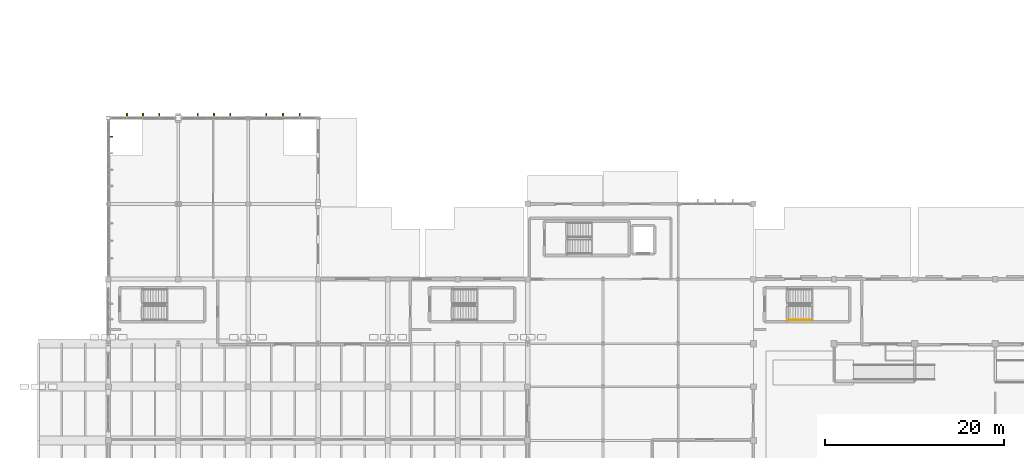
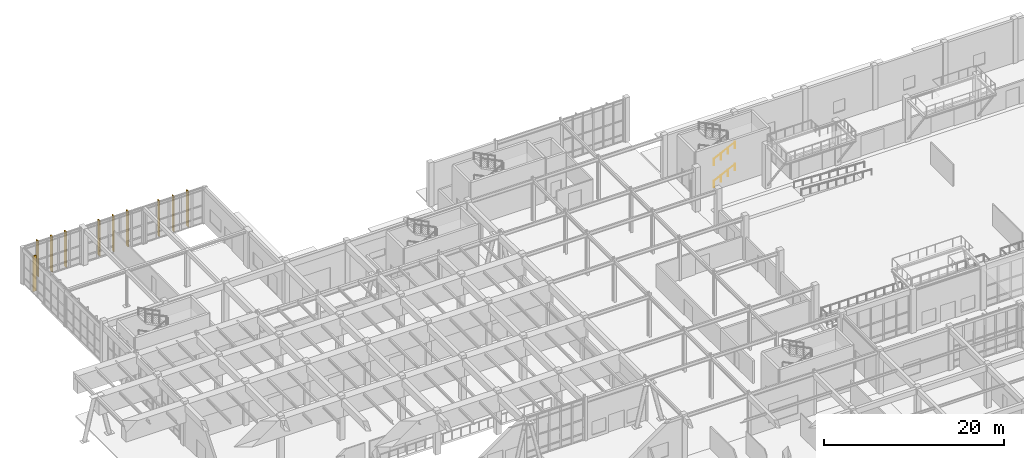
# One storey, part 103 of 110: 10 coverings, 2 railings.
"""IFC4 building model written with IfcOpenShell, lengths in metres."""

import ifcopenshell
import ifcopenshell.guid

model = None  # the IFC model being written
_history = None  # IfcOwnerHistory: only IFC2X3 demands one
_inside = {}  # id of a spatial element -> (the spatial element, [elements in it])
_under = {}  # id of a project, library or spatial element -> (it, [spatial elements below it])
_declared = {}  # id of a project -> (the project, [libraries it declares])
_typed = {}  # id of a type object -> (the type object, [elements of that type])
_made_of = {}  # id of a material, layer set ... -> (it, [elements and type objects made of it])


def new_model(schema):
    """Start an empty IFC model of exactly this schema.

    Asked for "IFC4X3", IfcOpenShell would pick the latest addendum, in which some entities
    have other attributes; the version numbers below select the first issue.
    IFC2X3 requires an IfcOwnerHistory on every rooted entity: one is made here for all.
    """
    global model, _history
    if schema == "IFC4X3":
        model = ifcopenshell.file(schema_version=(4, 3, 0, 0))
    else:
        model = ifcopenshell.file(schema=schema)
    _inside.clear()
    _under.clear()
    _declared.clear()
    _typed.clear()
    _made_of.clear()
    _history = None
    if model.schema == "IFC2X3":
        org = make("IfcOrganization", Name="unknown")
        user = make(
            "IfcPersonAndOrganization",
            ThePerson=make("IfcPerson", FamilyName="unknown"),
            TheOrganization=org,
        )
        app = make(
            "IfcApplication",
            ApplicationDeveloper=org,
            Version="unknown",
            ApplicationFullName="unknown",
            ApplicationIdentifier="unknown",
        )
        _history = make(
            "IfcOwnerHistory",
            OwningUser=user,
            OwningApplication=app,
            ChangeAction="ADDED",
            CreationDate=0,
        )
    return model


def make(cls, **values):
    """One entity of the class cls with the attributes given. An attribute that is None is left unset."""
    return model.create_entity(
        cls, **{name: value for name, value in values.items() if value is not None}
    )


def rooted(cls, **values):
    """An entity with a GlobalId (a new one), such as an element, a storey or a relation."""
    return make(cls, GlobalId=ifcopenshell.guid.new(), OwnerHistory=_history, **values)


def si_unit(unit_type, name, prefix=None):
    """IfcSIUnit, for example si_unit("LENGTHUNIT", "METRE", prefix="MILLI")."""
    return make("IfcSIUnit", UnitType=unit_type, Prefix=prefix, Name=name)


def assignment(units):
    """IfcUnitAssignment: the units of a project."""
    return None if units is None else make("IfcUnitAssignment", Units=units)


def point(xyz):
    """IfcCartesianPoint."""
    return None if xyz is None else make("IfcCartesianPoint", Coordinates=xyz)


def direction(xyz):
    """IfcDirection."""
    return None if xyz is None else make("IfcDirection", DirectionRatios=xyz)


def frame(location, z_axis=None, x_axis=None):
    """IfcAxis2Placement3D, a coordinate frame: its origin and axes. An axis left out is left unset."""
    return make(
        "IfcAxis2Placement3D",
        Location=point(location),
        Axis=direction(z_axis),
        RefDirection=direction(x_axis),
    )


def frame_2d(location, x_axis=None):
    """IfcAxis2Placement2D, a coordinate frame in the plane: its origin and x axis."""
    return make(
        "IfcAxis2Placement2D", Location=point(location), RefDirection=direction(x_axis)
    )


def origin():
    """The frame at (0, 0, 0) with its axes left unset."""
    return frame((0.0, 0.0, 0.0))


def origin_2d():
    """The frame at (0, 0) in the plane with its x axis left unset."""
    return frame_2d((0.0, 0.0))


def place(relative_to, where):
    """IfcLocalPlacement: puts the frame where relative to a parent placement (None: the world)."""
    return make(
        "IfcLocalPlacement", PlacementRelTo=relative_to, RelativePlacement=where
    )


def context(
    kind, dimensions, precision=None, world=None, true_north=None, identifier=None
):
    """IfcGeometricRepresentationContext, for example the 3D "Model" context."""
    return make(
        "IfcGeometricRepresentationContext",
        ContextIdentifier=identifier,
        ContextType=kind,
        CoordinateSpaceDimension=dimensions,
        Precision=precision,
        WorldCoordinateSystem=world,
        TrueNorth=true_north,
    )


def subcontext(parent, identifier, kind, view, scale=None):
    """IfcGeometricRepresentationSubContext, for example "Body" below "Model"."""
    return make(
        "IfcGeometricRepresentationSubContext",
        ContextIdentifier=identifier,
        ContextType=kind,
        ParentContext=parent,
        TargetScale=scale,
        TargetView=view,
    )


def project(units=None, contexts=None):
    """IfcProject with its units and contexts."""
    return rooted(
        "IfcProject",
        Name="project",
        RepresentationContexts=contexts,
        UnitsInContext=assignment(units),
    )


def spatial(cls, under=None, at=None, **own):
    """A site, building, storey or space (cls), placed at a placement, below another one or the project."""
    s = rooted(cls, ObjectPlacement=at, **own)
    if under is not None:
        _under.setdefault(under.id(), (under, []))[1].append(s)
    return s


def profile(cls, at=None, kind="AREA", **sizes):
    """A parametric profile (cls). Its sizes go by their IFC names, for example OverallWidth=200.0."""
    return make(cls, ProfileType=kind, Position=at, **sizes)


def rectangle(**sizes):
    """IfcRectangleProfileDef."""
    return profile("IfcRectangleProfileDef", **sizes)


def circle(**sizes):
    """IfcCircleProfileDef."""
    return profile("IfcCircleProfileDef", **sizes)


def extrude(swept, where, along, depth):
    """IfcExtrudedAreaSolid: the profile swept, set in the frame where, extruded along a direction by depth."""
    return make(
        "IfcExtrudedAreaSolid",
        SweptArea=swept,
        Position=where,
        ExtrudedDirection=direction(along),
        Depth=depth,
    )


def shape(context_of_items, identifier, shape_type, items):
    """IfcShapeRepresentation: the items that make up one representation, for example the "Body"."""
    return make(
        "IfcShapeRepresentation",
        ContextOfItems=context_of_items,
        RepresentationIdentifier=identifier,
        RepresentationType=shape_type,
        Items=items,
    )


def material(Name=None, Category=None):
    """IfcMaterial."""
    return make("IfcMaterial", Name=Name, Category=Category)


def layer(
    of_material, thickness, ventilated=None, Name=None, Category=None, Priority=None
):
    """IfcMaterialLayer: one layer of a wall or slab, of a material (None: an air gap)."""
    return make(
        "IfcMaterialLayer",
        Material=of_material,
        LayerThickness=thickness,
        IsVentilated=ventilated,
        Name=Name,
        Category=Category,
        Priority=Priority,
    )


def layer_set(layers, Name=None):
    """IfcMaterialLayerSet."""
    return make("IfcMaterialLayerSet", MaterialLayers=layers, LayerSetName=Name)


def made_of(thing, what):
    """Note that an element or type object is made of a material, layer set ...; save() writes the relation."""
    if what is not None:
        _made_of.setdefault(what.id(), (what, []))[1].append(thing)
    return thing


def type_object(cls, material=None, **own):
    """A type object (cls), such as IfcWallType, which elements share."""
    return made_of(rooted(cls, **own), material)


def element(
    cls,
    number,
    at=None,
    inside=None,
    cuts=None,
    type_object=None,
    material=None,
    context=None,
    identifier="Body",
    shape_type=None,
    held_by="IfcProductDefinitionShape",
    body=None,
    shapes=None,
    **own,
):
    """One element of the class cls, such as IfcWall. Its Tag is "e" and its number.

    at: its placement. inside: the storey or other place that contains it. cuts: it is an
    opening in that element (IfcRelVoidsElement). A single representation is given by context,
    identifier, shape_type and body (its items); several are given by shapes. held_by: the class
    of the entity that holds the representations. save() writes the other relations.
    """
    e = rooted(cls, Tag="e%d" % number, ObjectPlacement=at, **own)
    if body is not None:
        shapes = [shape(context, identifier, shape_type, body)]
    if shapes is not None:
        e.Representation = make(held_by, Representations=shapes)
    if inside is not None:
        _inside.setdefault(inside.id(), (inside, []))[1].append(e)
    if cuts is not None:
        rooted(
            "IfcRelVoidsElement", RelatingBuildingElement=cuts, RelatedOpeningElement=e
        )
    if type_object is not None:
        _typed.setdefault(type_object.id(), (type_object, []))[1].append(e)
    return made_of(e, material)


def aggregate(whole, parts):
    """IfcRelAggregates: a whole, such as a stair, and the parts it consists of."""
    return rooted("IfcRelAggregates", RelatingObject=whole, RelatedObjects=parts)


def save(model, path):
    """Write the relations noted so far, then the file.

    IfcRelAggregates (storeys below a building ...), IfcRelContainedInSpatialStructure (elements
    in a storey), IfcRelDefinesByType, IfcRelAssociatesMaterial and IfcRelDeclares: one each for
    every whole, place, type object, material and project.
    """
    for whole, parts in _under.values():
        aggregate(whole, parts)
    for where, things in _inside.values():
        rooted(
            "IfcRelContainedInSpatialStructure",
            RelatedElements=things,
            RelatingStructure=where,
        )
    for kind, things in _typed.values():
        rooted("IfcRelDefinesByType", RelatedObjects=things, RelatingType=kind)
    for what, things in _made_of.values():
        rooted("IfcRelAssociatesMaterial", RelatedObjects=things, RelatingMaterial=what)
    for by, libraries in _declared.values():
        rooted("IfcRelDeclares", RelatingContext=by, RelatedDefinitions=libraries)
    model.write(path)


model = new_model("IFC4")

# Units and contexts
model_context = context("Model", 3, precision=1e-05, world=origin(), true_north=direction((0.0, 1.0)))
body_context = subcontext(model_context, "Body", "Model", "MODEL_VIEW")
ifc_project = project(units=[si_unit("LENGTHUNIT", "METRE"), si_unit("AREAUNIT", "SQUARE_METRE"), si_unit("VOLUMEUNIT", "CUBIC_METRE"), si_unit("PLANEANGLEUNIT", "RADIAN"), si_unit("MASSUNIT", "GRAM", prefix="KILO")], contexts=[model_context])

# Site, building, storey
site_placement = place(None, origin())
site = spatial("IfcSite", under=ifc_project, at=site_placement, CompositionType="ELEMENT")
building_placement = place(site_placement, origin())
building = spatial("IfcBuilding", under=site, at=building_placement, Name="Tizgana Railside Sports Hall", CompositionType="ELEMENT")
storey_placement = place(building_placement, origin())
storey = spatial("IfcBuildingStorey", under=building, at=storey_placement, Name="L00", CompositionType="ELEMENT", Elevation=0.0)

# Coverings
ifc_material_1 = material(Name="Glulam GL28h", Category="wood")
ifc_layer = layer(ifc_material_1, 0.139892578125, Name="Glulam GL28h")
ifc_layer_set = layer_set([ifc_layer], Name="Glulam GL28h")
covering_type = type_object("IfcCoveringType", Name="Mass-Timber Brise-Soleil & Pergola Fin", PredefinedType="CLADDING", material=ifc_layer_set)
for number, where, z_axis, x_axis, name in (
    (1, (9.87109375, 98.679931640625, 0.0849609375), (0.0, 0.0, 1.0), (1.0, 0.0, 0.0), "L00 Timber Brise-Soleil Fin"),
    (2, (11.66259765625, 98.679931640625, 0.0849609375), (0.0, 0.0, 1.0), (1.0, 0.0, 0.0), "L00 Timber Brise-Soleil Fin"),
    (3, (13.45361328125, 98.679931640625, 0.0849609375), (0.0, 0.0, 1.0), (1.0, 0.0, 0.0), "L00 Timber Brise-Soleil Fin"),
    (4, (17.7724609375, 98.679931640625, 0.0849609375), (0.0, 0.0, 1.0), (1.0, 0.0, 0.0), "L00 Timber Brise-Soleil Fin"),
    (5, (19.590087890625, 98.679931640625, 0.0849609375), (0.0, 0.0, 1.0), (1.0, 0.0, 0.0), "L00 Timber Brise-Soleil Fin"),
    (6, (21.407470703125, 98.679931640625, 0.0849609375), (0.0, 0.0, 1.0), (1.0, 0.0, 0.0), "L00 Timber Brise-Soleil Fin"),
    (7, (25.433349609375, 98.679931640625, 0.0849609375), (0.0, 0.0, 1.0), (1.0, 0.0, 0.0), "L00 Timber Brise-Soleil Fin"),
    (8, (27.291748046875, 98.679931640625, 0.0849609375), (0.0, 0.0, 1.0), (1.0, 0.0, 0.0), "L00 Timber Brise-Soleil Fin"),
    (9, (29.150146484375, 98.679931640625, 0.0849609375), (0.0, 0.0, 1.0), (1.0, 0.0, 0.0), "L00 Timber Brise-Soleil Fin"),
    (10, (8.080078125, 96.291015625, 0.0849609375), (0.0, 0.0, 1.0), (0.0, -1.0, 0.0), "L00 Timber Brise-Soleil Fin"),
):
    element("IfcCovering", number, at=place(storey_placement, frame(where, z_axis=z_axis, x_axis=x_axis)), inside=storey, type_object=covering_type, Name=name, PredefinedType="CLADDING", context=body_context, shape_type="SweptSolid", body=[
        extrude(rectangle(XDim=0.1201171875, YDim=0.43994140625, at=origin_2d()), origin(), (0.0, 0.0, 1.0), 4.8349609375),
    ])

# Railings
ifc_material_2 = material(Name="Brushed stainless steel", Category="steel")
railing_type = type_object("IfcRailingType", Name="Stair & Ramp Wall Handrail 900", PredefinedType="HANDRAIL", material=ifc_material_2)
for number, where, name in (
    (11, (83.60009765625, 75.85009765625, 0.14990234375), "L00 ST-08 stair handrail 1"),
    (12, (83.60009765625, 75.85009765625, 3.14990234375), "L00 ST-08 stair handrail 3"),
):
    element("IfcRailing", number, at=place(storey_placement, frame(where)), inside=storey, type_object=railing_type, Name=name, PredefinedType="HANDRAIL", context=body_context, shape_type="SweptSolid", body=[
        extrude(circle(Radius=0.02392578125, at=origin_2d()), frame((0.0, 0.0, 0.8759765625), z_axis=(0.894411015155, 0.0, 0.447245945728), x_axis=(0.0, 1.0, 0.0)), (0.0, 0.0, 1.0), 3.018798828125),
        extrude(circle(Radius=0.02099609375, at=origin_2d()), origin(), (0.0, 0.0, 1.0), 0.851806640625),
        extrude(circle(Radius=0.02099609375, at=origin_2d()), frame((0.89990234375, 0.0, 0.449951171875)), (0.0, 0.0, 1.0), 0.851806640625),
        extrude(circle(Radius=0.02099609375, at=origin_2d()), frame((1.800048828125, 0.0, 0.900146484375)), (0.0, 0.0, 1.0), 0.851806640625),
        extrude(circle(Radius=0.02099609375, at=origin_2d()), frame((2.699951171875, 0.0, 1.35009765625)), (0.0, 0.0, 1.0), 0.851806640625),
    ])

save(model, "model.ifc")
